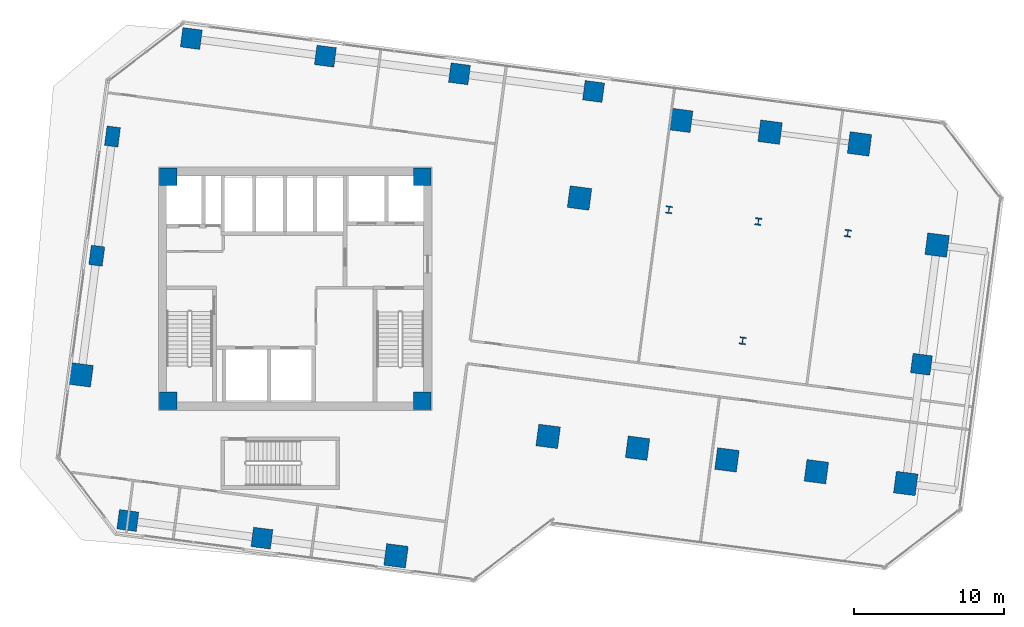
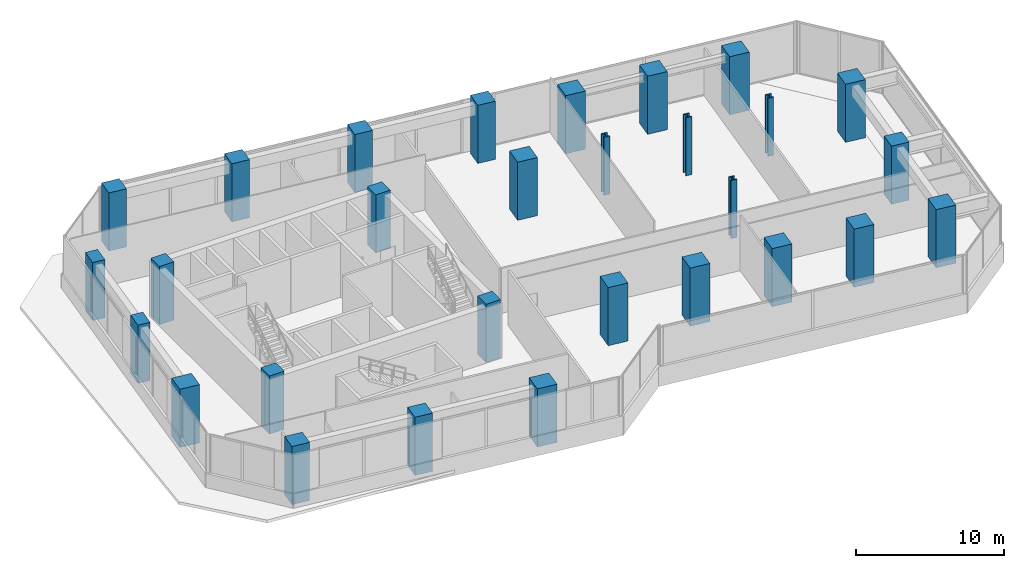
# One storey, part 1 of 24: 29 columns.
"""IFC4 building model written with IfcOpenShell, lengths in metres."""

from ifc_helpers import new_model, si_unit, direction, frame, origin, origin_2d, place, context, subcontext, project, spatial, rectangle, i_section, extrude, source, transform, mapped, material, material_profile, profile_set, type_object, element, save


model = new_model("IFC4")

# Units and contexts
model_context = context("Model", 3, precision=1e-05, world=origin(), true_north=direction((0.0, 1.0)))
body_context = subcontext(model_context, "Body", "Model", "MODEL_VIEW")
ifc_project = project(units=[si_unit("LENGTHUNIT", "METRE"), si_unit("AREAUNIT", "SQUARE_METRE"), si_unit("VOLUMEUNIT", "CUBIC_METRE"), si_unit("PLANEANGLEUNIT", "RADIAN"), si_unit("MASSUNIT", "GRAM", prefix="KILO")], contexts=[model_context])

# Site, building, storey
site_placement = place(None, origin())
site = spatial("IfcSite", under=ifc_project, at=site_placement, CompositionType="ELEMENT")
building_placement = place(site_placement, origin())
building = spatial("IfcBuilding", under=site, at=building_placement, Name="Torre Montelarca", CompositionType="ELEMENT")
storey_placement = place(building_placement, frame((0.0, 0.0, 61.60009765625)))
storey = spatial("IfcBuildingStorey", under=building, at=storey_placement, Name="L13", CompositionType="ELEMENT", Elevation=61.60009765625)

# Columns
ifc_material_1 = material(Name="Concrete C55/67", Category="concrete")
ifc_material_profile_1 = material_profile(ifc_material_1, rectangle(XDim=1.14990234375, YDim=1.14990234375, at=origin_2d()), Name="RC1150X1150", Category="concrete")
ifc_profile_set_1 = profile_set([ifc_material_profile_1], Name="Concrete C55/67")
column_type_1 = type_object("IfcColumnType", Name="COL-RC1150", PredefinedType="COLUMN", material=ifc_profile_set_1)
shared_shape_1 = source(origin(), body_context, "Body", "SweptSolid", [
    extrude(rectangle(XDim=1.14990234375, YDim=1.14990234375, at=origin_2d()), origin(), (0.0, 0.0, 1.0), 4.79833984375),
])
for number, where, z_axis, x_axis, name in (
    (1, (9.550048828125, 24.550048828125, 0.000732421875), (0.0, 0.0, 1.0), (1.0, 0.0, 0.0), "L13 Plumb Core Corner Column 2D"),
    (2, (26.449951171875, 24.550048828125, 0.000732421875), (0.0, 0.0, 1.0), (1.0, 0.0, 0.0), "L13 Plumb Core Corner Column 4D"),
    (3, (9.550048828125, 39.449951171875, 0.000732421875), (0.0, 0.0, 1.0), (1.0, 0.0, 0.0), "L13 Plumb Core Corner Column 2F"),
    (4, (26.449951171875, 39.449951171875, 0.000732421875), (0.0, 0.0, 1.0), (1.0, 0.0, 0.0), "L13 Plumb Core Corner Column 4F"),
):
    element("IfcColumn", number, at=place(storey_placement, frame(where, z_axis=z_axis, x_axis=x_axis)), inside=storey, type_object=column_type_1, Name=name, PredefinedType="COLUMN", context=body_context, shape_type="MappedRepresentation", body=[
        mapped(shared_shape_1, transform((0.0, 0.0, 0.0), scale=1.0)),
    ])
ifc_material_2 = material(Name="Concrete C70/85", Category="concrete")
ifc_material_profile_2 = material_profile(ifc_material_2, rectangle(XDim=1.300048828125, YDim=1.300048828125, at=origin_2d()), Name="RC1300X1300", Category="concrete")
ifc_profile_set_2 = profile_set([ifc_material_profile_2], Name="Concrete C70/85")
column_type_2 = type_object("IfcColumnType", Name="COL-RC1300-EXT", PredefinedType="COLUMN", material=ifc_profile_set_2)
shared_shape_2 = source(origin(), body_context, "Body", "SweptSolid", [
    extrude(rectangle(XDim=1.300048828125, YDim=1.300048828125, at=origin_2d()), origin(), (0.0, 0.0, 1.0), 4.79833984375),
])
for number, where, z_axis, x_axis, name in (
    (5, (6.86181640625, 16.57861328125, 0.000732421875), (0.0, 0.0, 1.0), (-0.991444861374, 0.13052619222, 0.0), "L13 Column 2/CS"),
    (6, (11.08447265625, 48.652099609375, 0.000732421875), (0.0, 0.0, 1.0), (-0.991444861374, 0.13052619222, 0.0), "L13 Column 2/GN"),
    (7, (15.784912109375, 15.404052734375, 0.000732421875), (0.0, 0.0, 1.0), (-0.991444861374, 0.13052619222, 0.0), "L13 Column 3/CS"),
    (8, (20.00732421875, 47.477294921875, 0.000732421875), (0.0, 0.0, 1.0), (-0.991444861374, 0.13052619222, 0.0), "L13 Column 3/GN"),
    (9, (28.930419921875, 46.302490234375, 0.000732421875), (0.0, 0.0, 1.0), (-0.991444861374, 0.13052619222, 0.0), "L13 Column 4/GN"),
    (10, (37.853515625, 45.127685546875, 0.000732421875), (0.0, 0.0, 1.0), (-0.991444861374, 0.13052619222, 0.0), "L13 Column 5/GN"),
    (11, (59.670654296875, 26.974609375, 0.000732421875), (0.0, 0.0, 1.0), (-0.991444861374, 0.13052619222, 0.0), "L13 Column 9/E"),
):
    element("IfcColumn", number, at=place(storey_placement, frame(where, z_axis=z_axis, x_axis=x_axis)), inside=storey, type_object=column_type_2, Name=name, PredefinedType="COLUMN", context=body_context, shape_type="MappedRepresentation", body=[
        mapped(shared_shape_2, transform((0.0, 0.0, 0.0), scale=1.0)),
    ])
ifc_material_profile_3 = material_profile(ifc_material_2, rectangle(XDim=1.449951171875, YDim=1.449951171875, at=origin_2d()), Name="RC1450X1450", Category="concrete")
ifc_profile_set_3 = profile_set([ifc_material_profile_3], Name="Concrete C70/85")
column_type_3 = type_object("IfcColumnType", Name="COL-RC1450-EXT", PredefinedType="COLUMN", material=ifc_profile_set_3)
shared_shape_3 = source(origin(), body_context, "Body", "SweptSolid", [
    extrude(rectangle(XDim=1.449951171875, YDim=1.449951171875, at=origin_2d()), origin(), (0.0, 0.0, 1.0), 4.79833984375),
])
for number, where, z_axis, x_axis, name in (
    (12, (24.7080078125, 14.229248046875, 0.000732421875), (0.0, 0.0, 1.0), (-0.991444861374, 0.13052619222, 0.0), "L13 Perimeter Mega Column 4/CS"),
    (13, (58.62646484375, 19.043212890625, 0.000732421875), (0.0, 0.0, 1.0), (-0.991444861374, 0.13052619222, 0.0), "L13 Perimeter Mega Column 9/D"),
    (14, (60.71484375, 34.90625, 0.000732421875), (0.0, 0.0, 1.0), (-0.991444861374, 0.13052619222, 0.0), "L13 Perimeter Mega Column 9/F"),
    (15, (3.75, 26.267822265625, 0.000732421875), (0.0, 0.0, 1.0), (-0.991444861374, 0.13052619222, 0.0), "L13 Perimeter Mega Column 1W/D"),
):
    element("IfcColumn", number, at=place(storey_placement, frame(where, z_axis=z_axis, x_axis=x_axis)), inside=storey, type_object=column_type_3, Name=name, PredefinedType="COLUMN", context=body_context, shape_type="MappedRepresentation", body=[
        mapped(shared_shape_3, transform((0.0, 0.0, 0.0), scale=1.0)),
    ])
ifc_material_profile_4 = material_profile(ifc_material_2, rectangle(XDim=1.449951171875, YDim=1.449951171875, at=origin_2d()), Name="RC1450X1450", Category="concrete")
ifc_profile_set_4 = profile_set([ifc_material_profile_4], Name="Concrete C70/85")
column_type_4 = type_object("IfcColumnType", Name="COL-RC1450", PredefinedType="COLUMN", material=ifc_profile_set_4)
shared_shape_4 = source(origin(), body_context, "Body", "SweptSolid", [
    extrude(rectangle(XDim=1.449951171875, YDim=1.449951171875, at=origin_2d()), origin(), (0.0, 0.0, 1.0), 4.79833984375),
])
for number, where, z_axis, x_axis, name in (
    (16, (34.831787109375, 22.17578125, 0.000732421875), (0.0, 0.0, 1.0), (-0.991444861374, 0.13052619222, 0.0), "L13 Column 5/D"),
    (17, (36.920166015625, 38.038818359375, 0.000732421875), (0.0, 0.0, 1.0), (-0.991444861374, 0.13052619222, 0.0), "L13 Column 5/F"),
    (18, (40.780517578125, 21.392578125, 0.000732421875), (0.0, 0.0, 1.0), (-0.991444861374, 0.13052619222, 0.0), "L13 Column 6/D"),
    (19, (43.652099609375, 43.204345703125, 0.000732421875), (0.0, 0.0, 1.0), (-0.991444861374, 0.13052619222, 0.0), "L13 Column 6/G"),
    (20, (46.72900390625, 20.609619140625, 0.000732421875), (0.0, 0.0, 1.0), (-0.991444861374, 0.13052619222, 0.0), "L13 Column 7/D"),
    (21, (49.6005859375, 42.42138671875, 0.000732421875), (0.0, 0.0, 1.0), (-0.991444861374, 0.13052619222, 0.0), "L13 Column 7/G"),
    (22, (52.677734375, 19.826416015625, 0.000732421875), (0.0, 0.0, 1.0), (-0.991444861374, 0.13052619222, 0.0), "L13 Column 8/D"),
    (23, (55.54931640625, 41.63818359375, 0.000732421875), (0.0, 0.0, 1.0), (-0.991444861374, 0.13052619222, 0.0), "L13 Column 8/G"),
):
    element("IfcColumn", number, at=place(storey_placement, frame(where, z_axis=z_axis, x_axis=x_axis)), inside=storey, type_object=column_type_4, Name=name, PredefinedType="COLUMN", context=body_context, shape_type="MappedRepresentation", body=[
        mapped(shared_shape_4, transform((0.0, 0.0, 0.0), scale=1.0)),
    ])
ifc_material_3 = material(Name="Steel ASTM A992 Grade 50", Category="steel")
ifc_material_profile_5 = material_profile(ifc_material_3, i_section(OverallWidth=0.431884765625, OverallDepth=0.498046875, WebThickness=0.0556640625, FlangeThickness=0.0888671875, FilletRadius=0.014892578125, at=origin_2d()), Name="W360X744", Category="steel")
ifc_profile_set_5 = profile_set([ifc_material_profile_5], Name="Steel ASTM A992 Grade 50")
column_type_5 = type_object("IfcColumnType", Name="COL-W360X744", PredefinedType="COLUMN", material=ifc_profile_set_5)
shared_shape_5 = source(origin(), body_context, "Body", "SweptSolid", [
    extrude(i_section(OverallWidth=0.431884765625, OverallDepth=0.498046875, WebThickness=0.0556640625, FlangeThickness=0.0888671875, FilletRadius=0.014892578125, at=origin_2d()), origin(), (0.0, 0.0, 1.0), 4.79833984375),
])
for number, where, z_axis, x_axis, name in (
    (24, (42.868896484375, 37.255859375, 0.000732421875), (0.0, 0.0, 1.0), (-0.991444861374, 0.13052619222, 0.0), "L13 Column 6/F"),
    (25, (47.773193359375, 28.541015625, 0.000732421875), (0.0, 0.0, 1.0), (-0.991444861374, 0.13052619222, 0.0), "L13 Column 7/E"),
    (26, (48.8173828125, 36.47265625, 0.000732421875), (0.0, 0.0, 1.0), (-0.991444861374, 0.13052619222, 0.0), "L13 Column 7/F"),
    (27, (54.76611328125, 35.689453125, 0.000732421875), (0.0, 0.0, 1.0), (-0.991444861374, 0.13052619222, 0.0), "L13 Column 8/F"),
):
    element("IfcColumn", number, at=place(storey_placement, frame(where, z_axis=z_axis, x_axis=x_axis)), inside=storey, type_object=column_type_5, Name=name, PredefinedType="COLUMN", context=body_context, shape_type="MappedRepresentation", body=[
        mapped(shared_shape_5, transform((0.0, 0.0, 0.0), scale=1.0)),
    ])
ifc_material_profile_6 = material_profile(ifc_material_1, rectangle(XDim=0.89990234375, YDim=1.300048828125, at=origin_2d()), Name="RC1300X900", Category="concrete")
ifc_profile_set_6 = profile_set([ifc_material_profile_6], Name="Concrete C55/67")
column_type_6 = type_object("IfcColumnType", Name="COL-PIL1300-EXT", PredefinedType="PILASTER", material=ifc_profile_set_6)
shared_shape_6 = source(origin(), body_context, "Body", "SweptSolid", [
    extrude(rectangle(XDim=0.89990234375, YDim=1.300048828125, at=origin_2d()), origin(), (0.0, 0.0, 1.0), 4.79833984375),
])
for number, where, z_axis, x_axis, name in (
    (28, (4.794189453125, 34.199462890625, 0.000732421875), (0.0, 0.0, 1.0), (-0.991444861374, 0.13052619222, 0.0), "L13 Column 1W/E"),
    (29, (5.83837890625, 42.130859375, 0.000732421875), (0.0, 0.0, 1.0), (-0.991444861374, 0.13052619222, 0.0), "L13 Column 1W/F"),
):
    element("IfcColumn", number, at=place(storey_placement, frame(where, z_axis=z_axis, x_axis=x_axis)), inside=storey, type_object=column_type_6, Name=name, PredefinedType="PILASTER", context=body_context, shape_type="MappedRepresentation", body=[
        mapped(shared_shape_6, transform((0.0, 0.0, 0.0), scale=1.0)),
    ])

save(model, "model.ifc")
